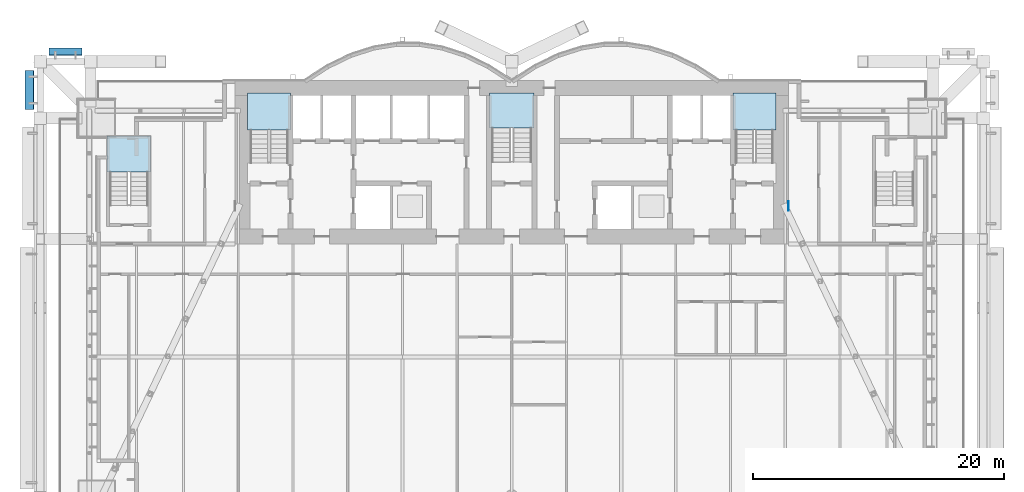
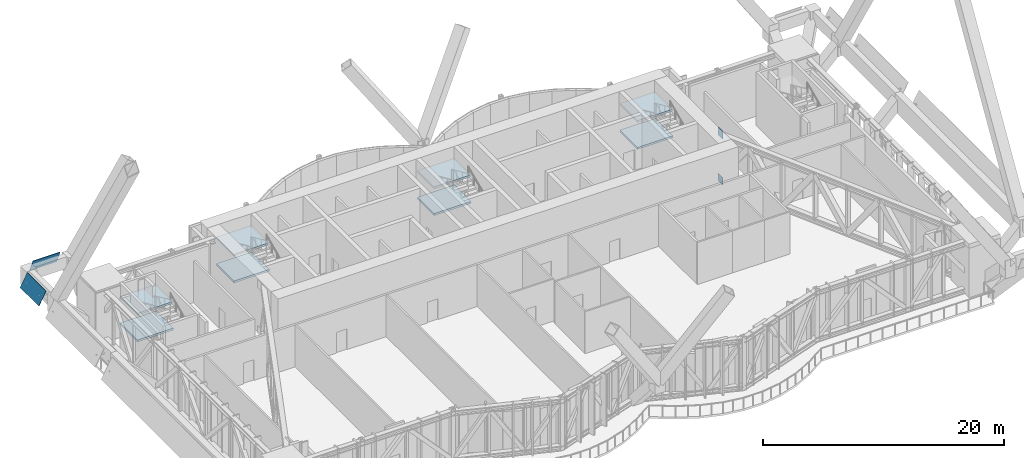
# One storey, part 22 of 32: 8 slabs, 4 plates, 4 elements without a shape of their own.
"""IFC4 building model written with IfcOpenShell, lengths in metres."""

from ifc_helpers import new_model, si_unit, direction, frame, origin, origin_2d, place, context, subcontext, project, spatial, polyline, rectangle, outline, extrude, material, layer, layer_set, type_object, element, aggregate, save


model = new_model("IFC4")

# Units and contexts
model_context = context("Model", 3, precision=1e-05, world=origin(), true_north=direction((0.0, 1.0)))
body_context = subcontext(model_context, "Body", "Model", "MODEL_VIEW")
ifc_project = project(units=[si_unit("LENGTHUNIT", "METRE"), si_unit("AREAUNIT", "SQUARE_METRE"), si_unit("VOLUMEUNIT", "CUBIC_METRE"), si_unit("PLANEANGLEUNIT", "RADIAN"), si_unit("MASSUNIT", "GRAM", prefix="KILO")], contexts=[model_context])

# Site, building, storey
site_placement = place(None, origin())
site = spatial("IfcSite", under=ifc_project, at=site_placement, CompositionType="ELEMENT")
building_placement = place(site_placement, origin())
building = spatial("IfcBuilding", under=site, at=building_placement, Name="Bicima Exchange Tower", CompositionType="ELEMENT")
storey_placement = place(building_placement, frame((0.0, 0.0, 135.0)))
storey = spatial("IfcBuildingStorey", under=building, at=storey_placement, Name="L29", CompositionType="ELEMENT", Elevation=135.0)

# Plates
ifc_material_1 = material(Name="Dark tinted spandrel glass", Category="glass")
ifc_layer_1 = layer(ifc_material_1, 0.0400390625)
ifc_layer_set_1 = layer_set([ifc_layer_1], Name="Dark tinted spandrel glass")
plate_type_1 = type_object("IfcPlateType", Name="Belt fascia glass panel 40", PredefinedType="SHEET", material=ifc_layer_set_1)
plate_1_placement = place(storey_placement, frame((-34.199951171875, 2.576416015625, 4.050048828125), z_axis=(0.0, 0.919715682457, 0.39258510344), x_axis=(-1.0, 0.0, 0.0)))
element("IfcPlate", 1, at=plate_1_placement, inside=storey, type_object=plate_type_1, Name="Belt fascia glass panel", PredefinedType="SHEET", context=body_context, shape_type="SweptSolid", body=[
    extrude(outline(polyline([(0.0, 0.0), (2.60009765625, 0.0), (2.60009765625, 1.3917663048388182), (0.0, 1.3917663048388182), (0.0, 0.0)])), origin(), (0.0, 0.0, -1.0), 0.0400390625),
])
plate_2_placement = place(storey_placement, frame((-38.732421875, 0.800048828125, 4.050048828125), z_axis=(-0.876685030348, 0.0, 0.481064816386), x_axis=(0.0, -1.0, 0.0)))
element("IfcPlate", 2, at=plate_2_placement, inside=storey, type_object=plate_type_1, Name="Belt fascia glass panel", PredefinedType="SHEET", context=body_context, shape_type="SweptSolid", body=[
    extrude(outline(polyline([(0.0, 0.0), (3.10009765625, 0.0), (3.10009765625, 1.4600788796032191), (0.0, 1.4600788796032191), (0.0, 0.0)])), origin(), (0.0, 0.0, -1.0), 0.0400390625),
])
ifc_material_2 = material(Name="Steel ASTM A572 Gr 50", Category="steel")
ifc_layer_2 = layer(ifc_material_2, 0.0400390625)
ifc_layer_set_2 = layer_set([ifc_layer_2], Name="Steel ASTM A572 Gr 50")
plate_type_2 = type_object("IfcPlateType", Name="Cast-in plate 40", PredefinedType="SHEET", material=ifc_layer_set_2)
for number, where, z_axis, x_axis, name in (
    (3, (22.02001953125, -10.0, 4.5810546875), (0.0, 0.0, 1.0), (1.0, 0.0, 0.0), "Cast-in plate at core wall"),
    (4, (22.02001953125, -10.0, -0.10009765625), (0.0, 0.0, 1.0), (1.0, 0.0, 0.0), "Cast-in plate at core wall"),
):
    element("IfcPlate", number, at=place(storey_placement, frame(where, z_axis=z_axis, x_axis=x_axis)), inside=storey, type_object=plate_type_2, Name=name, PredefinedType="SHEET", context=body_context, shape_type="SweptSolid", body=[
        extrude(rectangle(XDim=0.0400390625, YDim=0.754638671875, at=origin_2d()), origin(), (0.0, 0.0, 1.0), 0.76904296875),
    ])

# Stair, slabs
ifc_material_3 = material(Name="Concrete C50/60", Category="concrete")
stair_type_1 = type_object("IfcStairType", Name="Exit stair", PredefinedType="HALF_TURN_STAIR", material=ifc_material_3)
stair_1_placement = place(storey_placement, origin())
stair_1 = element("IfcStair", 5, at=stair_1_placement, inside=storey, type_object=stair_type_1, Name="L29 West exit stair", PredefinedType="HALF_TURN_STAIR")
ifc_layer_3 = layer(ifc_material_3, 0.199951171875)
ifc_layer_set_3 = layer_set([ifc_layer_3], Name="Concrete C50/60")
slab_type = type_object("IfcSlabType", Name="Stair landing slab", PredefinedType="LANDING", material=ifc_layer_set_3)
slab_1_placement = place(storey_placement, frame((0.0, 0.0, 1.14990234375)))
slab_1 = element("IfcSlab", 6, at=slab_1_placement, type_object=slab_type, Name="ST-W landing 1", PredefinedType="LANDING", context=body_context, shape_type="SweptSolid", body=[
    extrude(outline(polyline([(-17.60009765625, -3.919921875), (-17.60009765625, -1.0), (-21.0, -1.0), (-21.0, -3.919921875), (-17.60009765625, -3.919921875)])), origin(), (0.0, 0.0, 1.0), 0.2001953125),
])
slab_2_placement = place(storey_placement, frame((0.0, 0.0, 3.85009765625)))
slab_2 = element("IfcSlab", 7, at=slab_2_placement, type_object=slab_type, Name="ST-W landing 3", PredefinedType="LANDING", context=body_context, shape_type="SweptSolid", body=[
    extrude(outline(polyline([(-17.60009765625, -3.919921875), (-17.60009765625, -1.0), (-21.0, -1.0), (-21.0, -3.919921875), (-17.60009765625, -3.919921875)])), origin(), (0.0, 0.0, 1.0), 0.199951171875),
])
aggregate(stair_1, [slab_1, slab_2])

stair_type_2 = type_object("IfcStairType", Name="Exit stair 1500", PredefinedType="HALF_TURN_STAIR", material=ifc_material_3)
stair_2_placement = place(storey_placement, origin())
stair_2 = element("IfcStair", 8, at=stair_2_placement, inside=storey, type_object=stair_type_2, Name="L29 Central exit stair", PredefinedType="HALF_TURN_STAIR")
slab_3_placement = place(storey_placement, frame((0.0, 0.0, 1.14990234375)))
slab_3 = element("IfcSlab", 9, at=slab_3_placement, type_object=slab_type, Name="ST-C landing 1", PredefinedType="LANDING", context=body_context, shape_type="SweptSolid", body=[
    extrude(outline(polyline([(1.77490234375, -3.780029296875), (1.77490234375, -1.0), (-1.77490234375, -1.0), (-1.77490234375, -3.780029296875), (1.77490234375, -3.780029296875)])), origin(), (0.0, 0.0, 1.0), 0.2001953125),
])
slab_4_placement = place(storey_placement, frame((0.0, 0.0, 3.85009765625)))
slab_4 = element("IfcSlab", 10, at=slab_4_placement, type_object=slab_type, Name="ST-C landing 3", PredefinedType="LANDING", context=body_context, shape_type="SweptSolid", body=[
    extrude(outline(polyline([(1.77490234375, -3.780029296875), (1.77490234375, -1.0), (-1.77490234375, -1.0), (-1.77490234375, -3.780029296875), (1.77490234375, -3.780029296875)])), origin(), (0.0, 0.0, 1.0), 0.199951171875),
])
aggregate(stair_2, [slab_3, slab_4])

stair_3_placement = place(storey_placement, origin())
stair_3 = element("IfcStair", 11, at=stair_3_placement, inside=storey, type_object=stair_type_1, Name="L29 East exit stair", PredefinedType="HALF_TURN_STAIR")
slab_5_placement = place(storey_placement, frame((0.0, 0.0, 1.14990234375)))
slab_5 = element("IfcSlab", 12, at=slab_5_placement, type_object=slab_type, Name="ST-E landing 1", PredefinedType="LANDING", context=body_context, shape_type="SweptSolid", body=[
    extrude(outline(polyline([(21.0, -3.919921875), (21.0, -1.0), (17.60009765625, -1.0), (17.60009765625, -3.919921875), (21.0, -3.919921875)])), origin(), (0.0, 0.0, 1.0), 0.2001953125),
])
slab_6_placement = place(storey_placement, frame((0.0, 0.0, 3.85009765625)))
slab_6 = element("IfcSlab", 13, at=slab_6_placement, type_object=slab_type, Name="ST-E landing 3", PredefinedType="LANDING", context=body_context, shape_type="SweptSolid", body=[
    extrude(outline(polyline([(21.0, -3.919921875), (21.0, -1.0), (17.60009765625, -1.0), (17.60009765625, -3.919921875), (21.0, -3.919921875)])), origin(), (0.0, 0.0, 1.0), 0.199951171875),
])
aggregate(stair_3, [slab_5, slab_6])

stair_4_placement = place(storey_placement, origin())
stair_4 = element("IfcStair", 14, at=stair_4_placement, inside=storey, type_object=stair_type_1, Name="L29 West end exit stair", PredefinedType="HALF_TURN_STAIR")
slab_7_placement = place(storey_placement, frame((0.0, 0.0, 1.14990234375)))
slab_7 = element("IfcSlab", 15, at=slab_7_placement, type_object=slab_type, Name="ST-WW landing 1", PredefinedType="LANDING", context=body_context, shape_type="SweptSolid", body=[
    extrude(outline(polyline([(-28.72509765625, -7.294921875), (-28.72509765625, -4.425048828125), (-32.175048828125, -4.425048828125), (-32.175048828125, -7.294921875), (-28.72509765625, -7.294921875)])), origin(), (0.0, 0.0, 1.0), 0.2001953125),
])
slab_8_placement = place(storey_placement, frame((0.0, 0.0, 3.85009765625)))
slab_8 = element("IfcSlab", 16, at=slab_8_placement, type_object=slab_type, Name="ST-WW landing 3", PredefinedType="LANDING", context=body_context, shape_type="SweptSolid", body=[
    extrude(outline(polyline([(-28.72509765625, -7.294921875), (-28.72509765625, -4.425048828125), (-32.175048828125, -4.425048828125), (-32.175048828125, -7.294921875), (-28.72509765625, -7.294921875)])), origin(), (0.0, 0.0, 1.0), 0.199951171875),
])
aggregate(stair_4, [slab_7, slab_8])

save(model, "model.ifc")
